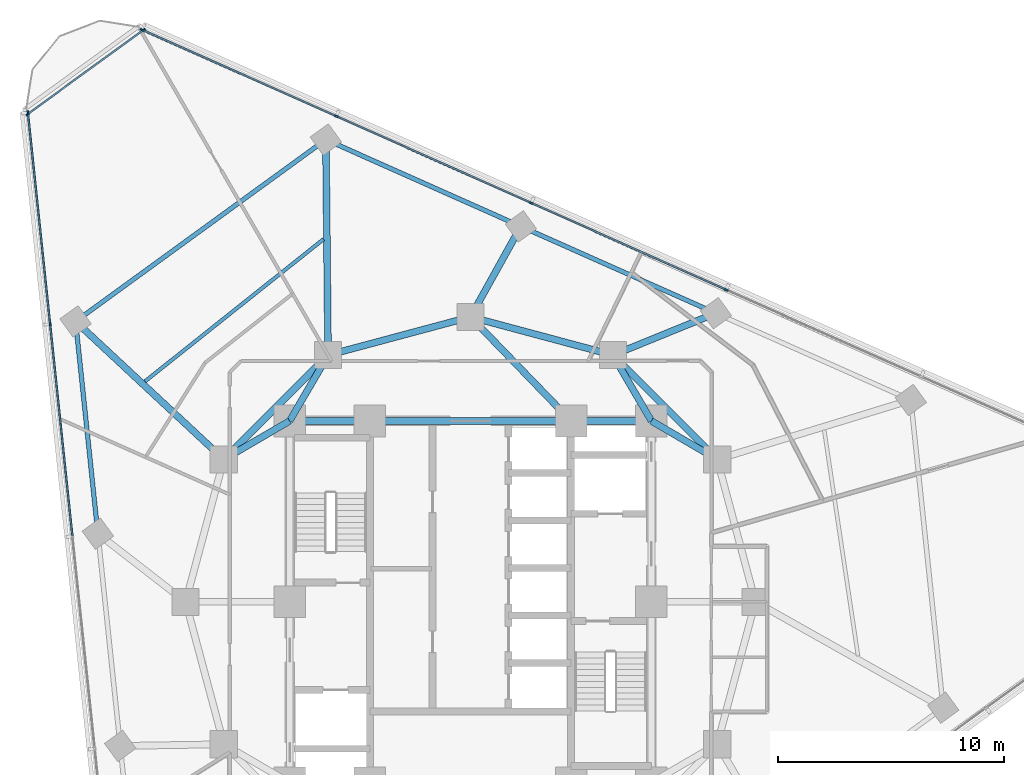
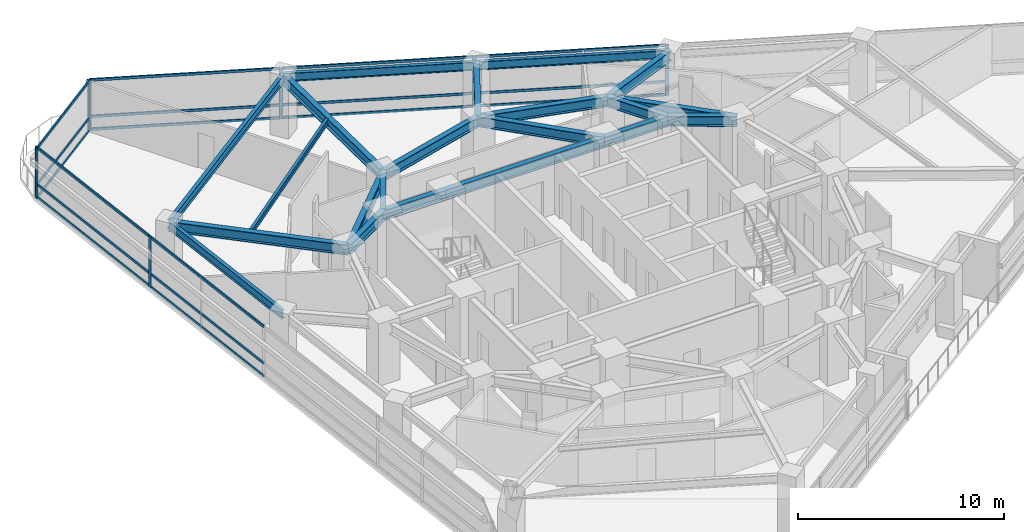
# One storey, part 5 of 14: 26 members, 21 beams, 3 elements without a shape of their own.
"""IFC4 building model written with IfcOpenShell, lengths in metres."""

import ifcopenshell
import ifcopenshell.guid

model = None  # the IFC model being written
_history = None  # IfcOwnerHistory: only IFC2X3 demands one
_inside = {}  # id of a spatial element -> (the spatial element, [elements in it])
_under = {}  # id of a project, library or spatial element -> (it, [spatial elements below it])
_declared = {}  # id of a project -> (the project, [libraries it declares])
_typed = {}  # id of a type object -> (the type object, [elements of that type])
_made_of = {}  # id of a material, layer set ... -> (it, [elements and type objects made of it])


def new_model(schema):
    """Start an empty IFC model of exactly this schema.

    Asked for "IFC4X3", IfcOpenShell would pick the latest addendum, in which some entities
    have other attributes; the version numbers below select the first issue.
    IFC2X3 requires an IfcOwnerHistory on every rooted entity: one is made here for all.
    """
    global model, _history
    if schema == "IFC4X3":
        model = ifcopenshell.file(schema_version=(4, 3, 0, 0))
    else:
        model = ifcopenshell.file(schema=schema)
    _inside.clear()
    _under.clear()
    _declared.clear()
    _typed.clear()
    _made_of.clear()
    _history = None
    if model.schema == "IFC2X3":
        org = make("IfcOrganization", Name="unknown")
        user = make(
            "IfcPersonAndOrganization",
            ThePerson=make("IfcPerson", FamilyName="unknown"),
            TheOrganization=org,
        )
        app = make(
            "IfcApplication",
            ApplicationDeveloper=org,
            Version="unknown",
            ApplicationFullName="unknown",
            ApplicationIdentifier="unknown",
        )
        _history = make(
            "IfcOwnerHistory",
            OwningUser=user,
            OwningApplication=app,
            ChangeAction="ADDED",
            CreationDate=0,
        )
    return model


def make(cls, **values):
    """One entity of the class cls with the attributes given. An attribute that is None is left unset."""
    return model.create_entity(
        cls, **{name: value for name, value in values.items() if value is not None}
    )


def rooted(cls, **values):
    """An entity with a GlobalId (a new one), such as an element, a storey or a relation."""
    return make(cls, GlobalId=ifcopenshell.guid.new(), OwnerHistory=_history, **values)


def si_unit(unit_type, name, prefix=None):
    """IfcSIUnit, for example si_unit("LENGTHUNIT", "METRE", prefix="MILLI")."""
    return make("IfcSIUnit", UnitType=unit_type, Prefix=prefix, Name=name)


def assignment(units):
    """IfcUnitAssignment: the units of a project."""
    return None if units is None else make("IfcUnitAssignment", Units=units)


def point(xyz):
    """IfcCartesianPoint."""
    return None if xyz is None else make("IfcCartesianPoint", Coordinates=xyz)


def direction(xyz):
    """IfcDirection."""
    return None if xyz is None else make("IfcDirection", DirectionRatios=xyz)


def frame(location, z_axis=None, x_axis=None):
    """IfcAxis2Placement3D, a coordinate frame: its origin and axes. An axis left out is left unset."""
    return make(
        "IfcAxis2Placement3D",
        Location=point(location),
        Axis=direction(z_axis),
        RefDirection=direction(x_axis),
    )


def frame_2d(location, x_axis=None):
    """IfcAxis2Placement2D, a coordinate frame in the plane: its origin and x axis."""
    return make(
        "IfcAxis2Placement2D", Location=point(location), RefDirection=direction(x_axis)
    )


def origin():
    """The frame at (0, 0, 0) with its axes left unset."""
    return frame((0.0, 0.0, 0.0))


def origin_2d():
    """The frame at (0, 0) in the plane with its x axis left unset."""
    return frame_2d((0.0, 0.0))


def place(relative_to, where):
    """IfcLocalPlacement: puts the frame where relative to a parent placement (None: the world)."""
    return make(
        "IfcLocalPlacement", PlacementRelTo=relative_to, RelativePlacement=where
    )


def context(
    kind, dimensions, precision=None, world=None, true_north=None, identifier=None
):
    """IfcGeometricRepresentationContext, for example the 3D "Model" context."""
    return make(
        "IfcGeometricRepresentationContext",
        ContextIdentifier=identifier,
        ContextType=kind,
        CoordinateSpaceDimension=dimensions,
        Precision=precision,
        WorldCoordinateSystem=world,
        TrueNorth=true_north,
    )


def subcontext(parent, identifier, kind, view, scale=None):
    """IfcGeometricRepresentationSubContext, for example "Body" below "Model"."""
    return make(
        "IfcGeometricRepresentationSubContext",
        ContextIdentifier=identifier,
        ContextType=kind,
        ParentContext=parent,
        TargetScale=scale,
        TargetView=view,
    )


def project(units=None, contexts=None):
    """IfcProject with its units and contexts."""
    return rooted(
        "IfcProject",
        Name="project",
        RepresentationContexts=contexts,
        UnitsInContext=assignment(units),
    )


def spatial(cls, under=None, at=None, **own):
    """A site, building, storey or space (cls), placed at a placement, below another one or the project."""
    s = rooted(cls, ObjectPlacement=at, **own)
    if under is not None:
        _under.setdefault(under.id(), (under, []))[1].append(s)
    return s


def profile(cls, at=None, kind="AREA", **sizes):
    """A parametric profile (cls). Its sizes go by their IFC names, for example OverallWidth=200.0."""
    return make(cls, ProfileType=kind, Position=at, **sizes)


def rectangle(**sizes):
    """IfcRectangleProfileDef."""
    return profile("IfcRectangleProfileDef", **sizes)


def i_section(**sizes):
    """IfcIShapeProfileDef."""
    return profile("IfcIShapeProfileDef", **sizes)


def extrude(swept, where, along, depth):
    """IfcExtrudedAreaSolid: the profile swept, set in the frame where, extruded along a direction by depth."""
    return make(
        "IfcExtrudedAreaSolid",
        SweptArea=swept,
        Position=where,
        ExtrudedDirection=direction(along),
        Depth=depth,
    )


def shape(context_of_items, identifier, shape_type, items):
    """IfcShapeRepresentation: the items that make up one representation, for example the "Body"."""
    return make(
        "IfcShapeRepresentation",
        ContextOfItems=context_of_items,
        RepresentationIdentifier=identifier,
        RepresentationType=shape_type,
        Items=items,
    )


def material(Name=None, Category=None):
    """IfcMaterial."""
    return make("IfcMaterial", Name=Name, Category=Category)


def layer(
    of_material, thickness, ventilated=None, Name=None, Category=None, Priority=None
):
    """IfcMaterialLayer: one layer of a wall or slab, of a material (None: an air gap)."""
    return make(
        "IfcMaterialLayer",
        Material=of_material,
        LayerThickness=thickness,
        IsVentilated=ventilated,
        Name=Name,
        Category=Category,
        Priority=Priority,
    )


def layer_set(layers, Name=None):
    """IfcMaterialLayerSet."""
    return make("IfcMaterialLayerSet", MaterialLayers=layers, LayerSetName=Name)


def material_profile(
    of_material, cross_section, Name=None, Category=None, Priority=None
):
    """IfcMaterialProfile: a cross section and its material."""
    return make(
        "IfcMaterialProfile",
        Name=Name,
        Material=of_material,
        Profile=cross_section,
        Priority=Priority,
        Category=Category,
    )


def profile_set(profiles, Name=None, composite=None):
    """IfcMaterialProfileSet."""
    return make(
        "IfcMaterialProfileSet",
        Name=Name,
        MaterialProfiles=profiles,
        CompositeProfile=composite,
    )


def made_of(thing, what):
    """Note that an element or type object is made of a material, layer set ...; save() writes the relation."""
    if what is not None:
        _made_of.setdefault(what.id(), (what, []))[1].append(thing)
    return thing


def type_object(cls, material=None, **own):
    """A type object (cls), such as IfcWallType, which elements share."""
    return made_of(rooted(cls, **own), material)


def element(
    cls,
    number,
    at=None,
    inside=None,
    cuts=None,
    type_object=None,
    material=None,
    context=None,
    identifier="Body",
    shape_type=None,
    held_by="IfcProductDefinitionShape",
    body=None,
    shapes=None,
    **own,
):
    """One element of the class cls, such as IfcWall. Its Tag is "e" and its number.

    at: its placement. inside: the storey or other place that contains it. cuts: it is an
    opening in that element (IfcRelVoidsElement). A single representation is given by context,
    identifier, shape_type and body (its items); several are given by shapes. held_by: the class
    of the entity that holds the representations. save() writes the other relations.
    """
    e = rooted(cls, Tag="e%d" % number, ObjectPlacement=at, **own)
    if body is not None:
        shapes = [shape(context, identifier, shape_type, body)]
    if shapes is not None:
        e.Representation = make(held_by, Representations=shapes)
    if inside is not None:
        _inside.setdefault(inside.id(), (inside, []))[1].append(e)
    if cuts is not None:
        rooted(
            "IfcRelVoidsElement", RelatingBuildingElement=cuts, RelatedOpeningElement=e
        )
    if type_object is not None:
        _typed.setdefault(type_object.id(), (type_object, []))[1].append(e)
    return made_of(e, material)


def aggregate(whole, parts):
    """IfcRelAggregates: a whole, such as a stair, and the parts it consists of."""
    return rooted("IfcRelAggregates", RelatingObject=whole, RelatedObjects=parts)


def save(model, path):
    """Write the relations noted so far, then the file.

    IfcRelAggregates (storeys below a building ...), IfcRelContainedInSpatialStructure (elements
    in a storey), IfcRelDefinesByType, IfcRelAssociatesMaterial and IfcRelDeclares: one each for
    every whole, place, type object, material and project.
    """
    for whole, parts in _under.values():
        aggregate(whole, parts)
    for where, things in _inside.values():
        rooted(
            "IfcRelContainedInSpatialStructure",
            RelatedElements=things,
            RelatingStructure=where,
        )
    for kind, things in _typed.values():
        rooted("IfcRelDefinesByType", RelatedObjects=things, RelatingType=kind)
    for what, things in _made_of.values():
        rooted("IfcRelAssociatesMaterial", RelatedObjects=things, RelatingMaterial=what)
    for by, libraries in _declared.values():
        rooted("IfcRelDeclares", RelatingContext=by, RelatedDefinitions=libraries)
    model.write(path)


model = new_model("IFC4")

# Units and contexts
model_context = context("Model", 3, precision=1e-05, world=origin(), true_north=direction((0.0, 1.0)))
body_context = subcontext(model_context, "Body", "Model", "MODEL_VIEW")
ifc_project = project(units=[si_unit("LENGTHUNIT", "METRE"), si_unit("AREAUNIT", "SQUARE_METRE"), si_unit("VOLUMEUNIT", "CUBIC_METRE"), si_unit("PLANEANGLEUNIT", "RADIAN"), si_unit("MASSUNIT", "GRAM", prefix="KILO")], contexts=[model_context])

# Site, building, storey
site_placement = place(None, origin())
site = spatial("IfcSite", under=ifc_project, at=site_placement, CompositionType="ELEMENT")
building_placement = place(site_placement, origin())
building = spatial("IfcBuilding", under=site, at=building_placement, Name="Terralouvre Media Tower", CompositionType="ELEMENT")
storey_placement = place(building_placement, frame((0.0, 0.0, 158.300048828125)))
storey = spatial("IfcBuildingStorey", under=building, at=storey_placement, Name="L40", CompositionType="ELEMENT", Elevation=158.300048828125)

# Beam
ifc_material_1 = material(Name="Structural steel S355J2", Category="steel")
ifc_material_profile_1 = material_profile(ifc_material_1, i_section(OverallWidth=0.159912109375, OverallDepth=0.330078125, WebThickness=0.007568359375, FlangeThickness=0.011474609375, at=origin_2d()), Name="IPE 330")
ifc_profile_set_1 = profile_set([ifc_material_profile_1], Name="Structural steel S355J2")
beam_type_1 = type_object("IfcBeamType", Name="Composite Floor Joist J-IPE330 (IPE 330)", PredefinedType="JOIST", material=ifc_profile_set_1)
beam_1_placement = place(storey_placement, frame((-6.500732421875, 16.037841796875, 3.3349609375), z_axis=(-0.782373963914, -0.622808943891, 0.0), x_axis=(0.622808943891, -0.782373963914, 0.0)))
element("IfcBeam", 1, at=beam_1_placement, inside=storey, type_object=beam_type_1, Name="L40 Framing Beam JT-L40-05", PredefinedType="JOIST", context=body_context, shape_type="SweptSolid", body=[
    extrude(i_section(OverallWidth=0.159912109375, OverallDepth=0.330078125, WebThickness=0.007568359375, FlangeThickness=0.011474609375, at=origin_2d()), origin(), (0.0, 0.0, 1.0), 10.0966796875),
])

# Curtain wall, members
ifc_material_2 = material(Name="Low-iron laminated double glazing with solar-control coating", Category="glass")
ifc_layer_1 = layer(ifc_material_2, 0.1650390625, Name="Production Studio Tower Curtain Wall CW-03")
ifc_layer_set_1 = layer_set([ifc_layer_1], Name="Low-iron laminated double glazing with solar-control coating")
curtain_wall_type_1 = type_object("IfcCurtainWallType", Name="Production Studio Tower Curtain Wall CW-03", PredefinedType="NOTDEFINED", material=ifc_layer_set_1)
curtain_wall_1_placement = place(storey_placement, origin())
curtain_wall_1 = element("IfcCurtainWall", 2, at=curtain_wall_1_placement, inside=storey, type_object=curtain_wall_type_1, Name="L40 Facade Curtain Wall F1", PredefinedType="NOTDEFINED")
ifc_material_3 = material(Name="Anodised extruded aluminium 6063-T6", Category="aluminium")
ifc_material_profile_2 = material_profile(ifc_material_3, rectangle(XDim=0.074951171875, YDim=0.14990234375, at=origin_2d()), Name="ALU 75x150")
ifc_profile_set_2 = profile_set([ifc_material_profile_2], Name="Anodised extruded aluminium 6063-T6")
member_type_1 = type_object("IfcMemberType", Name="Curtain-Wall Horizontal Transom TR-150", PredefinedType="USERDEFINED", material=ifc_profile_set_2)
member_1_placement = place(storey_placement, frame((11.27587890625, 13.8134765625, 0.037353515625), z_axis=(-0.913546899195, 0.40673340528, 0.0), x_axis=(-0.40673340528, -0.913546899195, 0.0)))
member_1 = element("IfcMember", 3, at=member_1_placement, type_object=member_type_1, Name="CW-03 transom 3.1", ObjectType="TRANSOM", PredefinedType="USERDEFINED", context=body_context, shape_type="SweptSolid", body=[
    extrude(rectangle(XDim=0.074951171875, YDim=0.14990234375, at=origin_2d()), origin(), (0.0, 0.0, 1.0), 9.364990234375),
])
member_2_placement = place(storey_placement, frame((11.27587890625, 13.8134765625, 0.800048828125), z_axis=(-0.913546899195, 0.40673340528, 0.0), x_axis=(-0.40673340528, -0.913546899195, 0.0)))
member_2 = element("IfcMember", 4, at=member_2_placement, type_object=member_type_1, Name="CW-03 transom 3.2", ObjectType="TRANSOM", PredefinedType="USERDEFINED", context=body_context, shape_type="SweptSolid", body=[
    extrude(rectangle(XDim=0.074951171875, YDim=0.14990234375, at=origin_2d()), origin(), (0.0, 0.0, 1.0), 9.364990234375),
])
member_3_placement = place(storey_placement, frame((11.27587890625, 13.8134765625, 2.96240234375), z_axis=(-0.913546899195, 0.40673340528, 0.0), x_axis=(-0.40673340528, -0.913546899195, 0.0)))
member_3 = element("IfcMember", 5, at=member_3_placement, type_object=member_type_1, Name="CW-03 transom 3.3", ObjectType="TRANSOM", PredefinedType="USERDEFINED", context=body_context, shape_type="SweptSolid", body=[
    extrude(rectangle(XDim=0.074951171875, YDim=0.14990234375, at=origin_2d()), origin(), (0.0, 0.0, 1.0), 9.364990234375),
])
member_4_placement = place(storey_placement, frame((2.65185546875, 17.653076171875, 0.037353515625), z_axis=(-0.913546899195, 0.40673340528, 0.0), x_axis=(-0.40673340528, -0.913546899195, 0.0)))
member_4 = element("IfcMember", 6, at=member_4_placement, type_object=member_type_1, Name="CW-03 transom 4.1", ObjectType="TRANSOM", PredefinedType="USERDEFINED", context=body_context, shape_type="SweptSolid", body=[
    extrude(rectangle(XDim=0.074951171875, YDim=0.14990234375, at=origin_2d()), origin(), (0.0, 0.0, 1.0), 9.364990234375),
])
member_5_placement = place(storey_placement, frame((2.65185546875, 17.653076171875, 0.800048828125), z_axis=(-0.913546899195, 0.40673340528, 0.0), x_axis=(-0.40673340528, -0.913546899195, 0.0)))
member_5 = element("IfcMember", 7, at=member_5_placement, type_object=member_type_1, Name="CW-03 transom 4.2", ObjectType="TRANSOM", PredefinedType="USERDEFINED", context=body_context, shape_type="SweptSolid", body=[
    extrude(rectangle(XDim=0.074951171875, YDim=0.14990234375, at=origin_2d()), origin(), (0.0, 0.0, 1.0), 9.364990234375),
])
member_6_placement = place(storey_placement, frame((2.65185546875, 17.653076171875, 2.96240234375), z_axis=(-0.913546899195, 0.40673340528, 0.0), x_axis=(-0.40673340528, -0.913546899195, 0.0)))
member_6 = element("IfcMember", 8, at=member_6_placement, type_object=member_type_1, Name="CW-03 transom 4.3", ObjectType="TRANSOM", PredefinedType="USERDEFINED", context=body_context, shape_type="SweptSolid", body=[
    extrude(rectangle(XDim=0.074951171875, YDim=0.14990234375, at=origin_2d()), origin(), (0.0, 0.0, 1.0), 9.364990234375),
])
member_7_placement = place(storey_placement, frame((-5.971923828125, 21.49267578125, 0.037353515625), z_axis=(-0.913553401339, 0.406718800774, 0.0), x_axis=(-0.406718800774, -0.913553401339, 0.0)))
member_7 = element("IfcMember", 9, at=member_7_placement, type_object=member_type_1, Name="CW-03 transom 5.1", ObjectType="TRANSOM", PredefinedType="USERDEFINED", context=body_context, shape_type="SweptSolid", body=[
    extrude(rectangle(XDim=0.074951171875, YDim=0.14990234375, at=origin_2d()), origin(), (0.0, 0.0, 1.0), 9.32763671875),
])
member_8_placement = place(storey_placement, frame((-5.971923828125, 21.49267578125, 0.800048828125), z_axis=(-0.913553401339, 0.406718800774, 0.0), x_axis=(-0.406718800774, -0.913553401339, 0.0)))
member_8 = element("IfcMember", 10, at=member_8_placement, type_object=member_type_1, Name="CW-03 transom 5.2", ObjectType="TRANSOM", PredefinedType="USERDEFINED", context=body_context, shape_type="SweptSolid", body=[
    extrude(rectangle(XDim=0.074951171875, YDim=0.14990234375, at=origin_2d()), origin(), (0.0, 0.0, 1.0), 9.32763671875),
])
member_9_placement = place(storey_placement, frame((-5.971923828125, 21.49267578125, 2.96240234375), z_axis=(-0.913553401339, 0.406718800774, 0.0), x_axis=(-0.406718800774, -0.913553401339, 0.0)))
member_9 = element("IfcMember", 11, at=member_9_placement, type_object=member_type_1, Name="CW-03 transom 5.3", ObjectType="TRANSOM", PredefinedType="USERDEFINED", context=body_context, shape_type="SweptSolid", body=[
    extrude(rectangle(XDim=0.074951171875, YDim=0.14990234375, at=origin_2d()), origin(), (0.0, 0.0, 1.0), 9.32763671875),
])

curtain_wall_2_placement = place(storey_placement, origin())
curtain_wall_2 = element("IfcCurtainWall", 12, at=curtain_wall_2_placement, inside=storey, type_object=curtain_wall_type_1, Name="L40 Facade Curtain Wall F2", PredefinedType="NOTDEFINED")
member_10_placement = place(storey_placement, frame((-19.5703125, 21.59765625, 0.037353515625), z_axis=(0.104540358364, -0.994520645071, 0.0), x_axis=(0.994520645071, 0.104540358364, 0.0)))
member_10 = element("IfcMember", 13, at=member_10_placement, type_object=member_type_1, Name="CW-03 transom 1.1", ObjectType="TRANSOM", PredefinedType="USERDEFINED", context=body_context, shape_type="SweptSolid", body=[
    extrude(rectangle(XDim=0.074951171875, YDim=0.14990234375, at=origin_2d()), origin(), (0.0, 0.0, 1.0), 9.327392578125),
])
member_11_placement = place(storey_placement, frame((-19.5703125, 21.59765625, 0.800048828125), z_axis=(0.104540358364, -0.994520645071, 0.0), x_axis=(0.994520645071, 0.104540358364, 0.0)))
member_11 = element("IfcMember", 14, at=member_11_placement, type_object=member_type_1, Name="CW-03 transom 1.2", ObjectType="TRANSOM", PredefinedType="USERDEFINED", context=body_context, shape_type="SweptSolid", body=[
    extrude(rectangle(XDim=0.074951171875, YDim=0.14990234375, at=origin_2d()), origin(), (0.0, 0.0, 1.0), 9.327392578125),
])
member_12_placement = place(storey_placement, frame((-19.5703125, 21.59765625, 2.96240234375), z_axis=(0.104540358364, -0.994520645071, 0.0), x_axis=(0.994520645071, 0.104540358364, 0.0)))
member_12 = element("IfcMember", 15, at=member_12_placement, type_object=member_type_1, Name="CW-03 transom 1.3", ObjectType="TRANSOM", PredefinedType="USERDEFINED", context=body_context, shape_type="SweptSolid", body=[
    extrude(rectangle(XDim=0.074951171875, YDim=0.14990234375, at=origin_2d()), origin(), (0.0, 0.0, 1.0), 9.327392578125),
])
member_13_placement = place(storey_placement, frame((-18.58740234375, 12.24658203125, 0.037353515625), z_axis=(0.104538223456, -0.994520869483, 0.0), x_axis=(0.994520869483, 0.104538223456, 0.0)))
member_13 = element("IfcMember", 16, at=member_13_placement, type_object=member_type_1, Name="CW-03 transom 2.1", ObjectType="TRANSOM", PredefinedType="USERDEFINED", context=body_context, shape_type="SweptSolid", body=[
    extrude(rectangle(XDim=0.074951171875, YDim=0.14990234375, at=origin_2d()), origin(), (0.0, 0.0, 1.0), 9.364990234375),
])
member_14_placement = place(storey_placement, frame((-18.58740234375, 12.24658203125, 0.800048828125), z_axis=(0.104538223456, -0.994520869483, 0.0), x_axis=(0.994520869483, 0.104538223456, 0.0)))
member_14 = element("IfcMember", 17, at=member_14_placement, type_object=member_type_1, Name="CW-03 transom 2.2", ObjectType="TRANSOM", PredefinedType="USERDEFINED", context=body_context, shape_type="SweptSolid", body=[
    extrude(rectangle(XDim=0.074951171875, YDim=0.14990234375, at=origin_2d()), origin(), (0.0, 0.0, 1.0), 9.364990234375),
])
member_15_placement = place(storey_placement, frame((-18.58740234375, 12.24658203125, 2.96240234375), z_axis=(0.104538223456, -0.994520869483, 0.0), x_axis=(0.994520869483, 0.104538223456, 0.0)))
member_15 = element("IfcMember", 18, at=member_15_placement, type_object=member_type_1, Name="CW-03 transom 2.3", ObjectType="TRANSOM", PredefinedType="USERDEFINED", context=body_context, shape_type="SweptSolid", body=[
    extrude(rectangle(XDim=0.074951171875, YDim=0.14990234375, at=origin_2d()), origin(), (0.0, 0.0, 1.0), 9.364990234375),
])

ifc_material_4 = material(Name="Low-iron laminated double glazing with solar-control coating", Category="glass")
ifc_layer_2 = layer(ifc_material_4, 0.1650390625, Name="Rounded Wind-Corner Curved Glazing CW-04")
ifc_layer_set_2 = layer_set([ifc_layer_2], Name="Low-iron laminated double glazing with solar-control coating")
curtain_wall_type_2 = type_object("IfcCurtainWallType", Name="Rounded Wind-Corner Curved Glazing CW-04", PredefinedType="NOTDEFINED", material=ifc_layer_set_2)
curtain_wall_3_placement = place(storey_placement, origin())
curtain_wall_3 = element("IfcCurtainWall", 19, at=curtain_wall_3_placement, inside=storey, type_object=curtain_wall_type_2, Name="L40 Rounded Wind-Corner Curtain Wall C2", PredefinedType="NOTDEFINED")
member_16_placement = place(storey_placement, frame((-14.4912109375, 25.269287109375, 0.037353515625), z_axis=(-0.809012644162, -0.587791239801, 0.0), x_axis=(0.587791239801, -0.809012644162, 0.0)))
member_16 = element("IfcMember", 20, at=member_16_placement, type_object=member_type_1, Name="CW-04 transom 1.1", ObjectType="TRANSOM", PredefinedType="USERDEFINED", context=body_context, shape_type="SweptSolid", body=[
    extrude(rectangle(XDim=0.074951171875, YDim=0.14990234375, at=origin_2d()), origin(), (0.0, 0.0, 1.0), 6.258544921875),
])
member_17_placement = place(storey_placement, frame((-14.4912109375, 25.269287109375, 0.800048828125), z_axis=(-0.809012644162, -0.587791239801, 0.0), x_axis=(0.587791239801, -0.809012644162, 0.0)))
member_17 = element("IfcMember", 21, at=member_17_placement, type_object=member_type_1, Name="CW-04 transom 1.2", ObjectType="TRANSOM", PredefinedType="USERDEFINED", context=body_context, shape_type="SweptSolid", body=[
    extrude(rectangle(XDim=0.074951171875, YDim=0.14990234375, at=origin_2d()), origin(), (0.0, 0.0, 1.0), 6.258544921875),
])
member_18_placement = place(storey_placement, frame((-14.4912109375, 25.269287109375, 2.96240234375), z_axis=(-0.809012644162, -0.587791239801, 0.0), x_axis=(0.587791239801, -0.809012644162, 0.0)))
member_18 = element("IfcMember", 22, at=member_18_placement, type_object=member_type_1, Name="CW-04 transom 1.3", ObjectType="TRANSOM", PredefinedType="USERDEFINED", context=body_context, shape_type="SweptSolid", body=[
    extrude(rectangle(XDim=0.074951171875, YDim=0.14990234375, at=origin_2d()), origin(), (0.0, 0.0, 1.0), 6.258544921875),
])

# Member
ifc_material_5 = material(Name="Anodised extruded aluminium 6063-T6", Category="aluminium")
ifc_material_profile_3 = material_profile(ifc_material_5, rectangle(XDim=0.074951171875, YDim=0.179931640625, at=origin_2d()), Name="ALU 75x180")
ifc_profile_set_3 = profile_set([ifc_material_profile_3], Name="Anodised extruded aluminium 6063-T6")
member_type_2 = type_object("IfcMemberType", Name="Curtain-Wall Vertical Mullion ML-180", PredefinedType="MULLION", material=ifc_profile_set_3)
member_19_placement = place(storey_placement, frame((11.31005859375, 13.798095703125, 0.0), z_axis=(0.0, 0.0, 1.0), x_axis=(-0.406736616337, -0.913545469547, 0.0)))
member_19 = element("IfcMember", 23, at=member_19_placement, type_object=member_type_2, Name="CW-03 mullion 3", PredefinedType="MULLION", context=body_context, shape_type="SweptSolid", body=[
    extrude(rectangle(XDim=0.074951171875, YDim=0.179931640625, at=origin_2d()), origin(), (0.0, 0.0, 1.0), 3.0),
])

member_20_placement = place(storey_placement, frame((2.686279296875, 17.6376953125, 0.0), z_axis=(0.0, 0.0, 1.0), x_axis=(-0.406736616337, -0.913545469547, 0.0)))
member_20 = element("IfcMember", 24, at=member_20_placement, type_object=member_type_2, Name="CW-03 mullion 4", PredefinedType="MULLION", context=body_context, shape_type="SweptSolid", body=[
    extrude(rectangle(XDim=0.074951171875, YDim=0.179931640625, at=origin_2d()), origin(), (0.0, 0.0, 1.0), 3.0),
])

member_21_placement = place(storey_placement, frame((-5.937744140625, 21.477294921875, 0.0), z_axis=(0.0, 0.0, 1.0), x_axis=(-0.406736616337, -0.913545469547, 0.0)))
member_21 = element("IfcMember", 25, at=member_21_placement, type_object=member_type_2, Name="CW-03 mullion 5", PredefinedType="MULLION", context=body_context, shape_type="SweptSolid", body=[
    extrude(rectangle(XDim=0.074951171875, YDim=0.179931640625, at=origin_2d()), origin(), (0.0, 0.0, 1.0), 3.0),
])

member_22_placement = place(storey_placement, frame((-14.52734375, 25.3017578125, 0.0), z_axis=(0.0, 0.0, 1.0), x_axis=(-0.406736616337, -0.913545469547, 0.0)))
member_22 = element("IfcMember", 26, at=member_22_placement, type_object=member_type_2, Name="CW-03 mullion 6", PredefinedType="MULLION", context=body_context, shape_type="SweptSolid", body=[
    extrude(rectangle(XDim=0.074951171875, YDim=0.179931640625, at=origin_2d()), origin(), (0.0, 0.0, 1.0), 3.0),
])

aggregate(curtain_wall_1, [member_19, member_20, member_21, member_22, member_1, member_2, member_3, member_4, member_5, member_6, member_7, member_8, member_9])

member_23_placement = place(storey_placement, frame((-19.57421875, 21.635009765625, 0.0), z_axis=(0.0, 0.0, 1.0), x_axis=(0.994521904516, 0.104528376236, 0.0)))
member_23 = element("IfcMember", 27, at=member_23_placement, type_object=member_type_2, Name="CW-03 mullion 1", PredefinedType="MULLION", context=body_context, shape_type="SweptSolid", body=[
    extrude(rectangle(XDim=0.074951171875, YDim=0.179931640625, at=origin_2d()), origin(), (0.0, 0.0, 1.0), 3.0),
])

member_24_placement = place(storey_placement, frame((-18.59130859375, 12.283935546875, 0.0), z_axis=(0.0, 0.0, 1.0), x_axis=(0.994521904516, 0.104528376236, 0.0)))
member_24 = element("IfcMember", 28, at=member_24_placement, type_object=member_type_2, Name="CW-03 mullion 2", PredefinedType="MULLION", context=body_context, shape_type="SweptSolid", body=[
    extrude(rectangle(XDim=0.074951171875, YDim=0.179931640625, at=origin_2d()), origin(), (0.0, 0.0, 1.0), 3.0),
])

aggregate(curtain_wall_2, [member_23, member_24, member_10, member_11, member_12, member_13, member_14, member_15])

member_25_placement = place(storey_placement, frame((-14.4609375, 25.291259765625, 0.0), z_axis=(0.0, 0.0, 1.0), x_axis=(0.587784641221, -0.809017438344, 0.0)))
member_25 = element("IfcMember", 29, at=member_25_placement, type_object=member_type_2, Name="CW-04 mullion 1", PredefinedType="MULLION", context=body_context, shape_type="SweptSolid", body=[
    extrude(rectangle(XDim=0.074951171875, YDim=0.179931640625, at=origin_2d()), origin(), (0.0, 0.0, 1.0), 3.0),
])

member_26_placement = place(storey_placement, frame((-19.584716796875, 21.568603515625, 0.0), z_axis=(0.0, 0.0, 1.0), x_axis=(0.587784641221, -0.809017438344, 0.0)))
member_26 = element("IfcMember", 30, at=member_26_placement, type_object=member_type_2, Name="CW-04 mullion 2", PredefinedType="MULLION", context=body_context, shape_type="SweptSolid", body=[
    extrude(rectangle(XDim=0.074951171875, YDim=0.179931640625, at=origin_2d()), origin(), (0.0, 0.0, 1.0), 3.0),
])

aggregate(curtain_wall_3, [member_25, member_26, member_16, member_17, member_18])

# Beams
ifc_material_6 = material(Name="Structural steel S355J2", Category="steel")
ifc_material_profile_4 = material_profile(ifc_material_6, i_section(OverallWidth=0.199951171875, OverallDepth=0.5, WebThickness=0.01025390625, FlangeThickness=0.01611328125, at=origin_2d()), Name="IPE 500")
ifc_profile_set_4 = profile_set([ifc_material_profile_4], Name="Structural steel S355J2")
beam_type_2 = type_object("IfcBeamType", Name="Perimeter Spandrel Beam SPB-500 (IPE 500)", PredefinedType="SPANDREL", material=ifc_profile_set_4)
for number, where, z_axis, x_axis, name in (
    (31, (10.850341796875, 12.765869140625, 3.25), (-0.913543659167, 0.406740682494, 0.0), (-0.406740682494, -0.913543659167, 0.0), "L40 Framing Beam BM-L40-PR08"),
    (32, (2.2265625, 16.60546875, 3.25), (-0.913543659167, 0.406740682494, 0.0), (-0.406740682494, -0.913543659167, 0.0), "L40 Framing Beam BM-L40-PR09"),
):
    element("IfcBeam", number, at=place(storey_placement, frame(where, z_axis=z_axis, x_axis=x_axis)), inside=storey, type_object=beam_type_2, Name=name, PredefinedType="SPANDREL", context=body_context, shape_type="SweptSolid", body=[
        extrude(i_section(OverallWidth=0.199951171875, OverallDepth=0.5, WebThickness=0.01025390625, FlangeThickness=0.01611328125, at=origin_2d()), origin(), (0.0, 0.0, 1.0), 9.43994140625),
    ])
beam_2_placement = place(storey_placement, frame((-6.397216796875, 20.445068359375, 3.25), z_axis=(-0.80901991627, -0.587781230628, 0.0), x_axis=(0.587781230628, -0.80901991627, 0.0)))
element("IfcBeam", 33, at=beam_2_placement, inside=storey, type_object=beam_type_2, Name="L40 Framing Beam BM-L40-PR10", PredefinedType="SPANDREL", context=body_context, shape_type="SweptSolid", body=[
    extrude(i_section(OverallWidth=0.199951171875, OverallDepth=0.5, WebThickness=0.01025390625, FlangeThickness=0.01611328125, at=origin_2d()), origin(), (0.0, 0.0, 1.0), 13.68359375),
])
beam_3_placement = place(storey_placement, frame((-17.467529296875, 12.402099609375, 3.25), z_axis=(0.10453669331, -0.994521030321, 0.0), x_axis=(0.994521030321, 0.10453669331, 0.0)))
element("IfcBeam", 34, at=beam_3_placement, inside=storey, type_object=beam_type_2, Name="L40 Framing Beam BM-L40-PR11", PredefinedType="SPANDREL", context=body_context, shape_type="SweptSolid", body=[
    extrude(i_section(OverallWidth=0.199951171875, OverallDepth=0.5, WebThickness=0.01025390625, FlangeThickness=0.01611328125, at=origin_2d()), origin(), (0.0, 0.0, 1.0), 9.43994140625),
])
ifc_material_7 = material(Name="Structural steel S460M", Category="steel")
ifc_material_profile_5 = material_profile(ifc_material_7, i_section(OverallWidth=0.300048828125, OverallDepth=0.60009765625, WebThickness=0.015380859375, FlangeThickness=0.030029296875, at=origin_2d()), Name="HEB 600")
ifc_profile_set_5 = profile_set([ifc_material_profile_5], Name="Structural steel S460M")
beam_type_3 = type_object("IfcBeamType", Name="Primary Floor Girder B-HEB600 (HEB 600)", PredefinedType="BEAM", material=ifc_profile_set_5)
beam_4_placement = place(storey_placement, frame((8.0, 8.0, 3.199951171875), z_axis=(-1.0, 0.0, 0.0), x_axis=(0.0, -1.0, 0.0)))
element("IfcBeam", 35, at=beam_4_placement, inside=storey, type_object=beam_type_3, Name="L40 Framing Beam BM-L40-CPR06", PredefinedType="BEAM", context=body_context, shape_type="SweptSolid", body=[
    extrude(i_section(OverallWidth=0.300048828125, OverallDepth=0.60009765625, WebThickness=0.015380859375, FlangeThickness=0.030029296875, at=origin_2d()), origin(), (0.0, 0.0, 1.0), 3.550048828125),
])
beam_5_placement = place(storey_placement, frame((4.449951171875, 8.0, 3.199951171875), z_axis=(-1.0, 0.0, 0.0), x_axis=(0.0, -1.0, 0.0)))
element("IfcBeam", 36, at=beam_5_placement, inside=storey, type_object=beam_type_3, Name="L40 Framing Beam BM-L40-CPR07", PredefinedType="BEAM", context=body_context, shape_type="SweptSolid", body=[
    extrude(i_section(OverallWidth=0.300048828125, OverallDepth=0.60009765625, WebThickness=0.015380859375, FlangeThickness=0.030029296875, at=origin_2d()), origin(), (0.0, 0.0, 1.0), 8.89990234375),
])
beam_6_placement = place(storey_placement, frame((-4.449951171875, 8.0, 3.199951171875), z_axis=(-1.0, 0.0, 0.0), x_axis=(0.0, -1.0, 0.0)))
element("IfcBeam", 37, at=beam_6_placement, inside=storey, type_object=beam_type_3, Name="L40 Framing Beam BM-L40-CPR08", PredefinedType="BEAM", context=body_context, shape_type="SweptSolid", body=[
    extrude(i_section(OverallWidth=0.300048828125, OverallDepth=0.60009765625, WebThickness=0.015380859375, FlangeThickness=0.030029296875, at=origin_2d()), origin(), (0.0, 0.0, 1.0), 3.550048828125),
])
beam_7_placement = place(storey_placement, frame((10.911865234375, 6.300048828125, 3.199951171875), z_axis=(-0.707106781187, 0.707106781187, 0.0), x_axis=(-0.707106781187, -0.707106781187, 0.0)))
element("IfcBeam", 38, at=beam_7_placement, inside=storey, type_object=beam_type_3, Name="L40 Framing Beam BM-L40-MR07", PredefinedType="BEAM", context=body_context, shape_type="SweptSolid", body=[
    extrude(i_section(OverallWidth=0.300048828125, OverallDepth=0.60009765625, WebThickness=0.015380859375, FlangeThickness=0.030029296875, at=origin_2d()), origin(), (0.0, 0.0, 1.0), 6.52197265625),
])
for number, where, z_axis, x_axis, name in (
    (39, (6.300048828125, 10.911865234375, 3.199951171875), (-0.965920481897, 0.258838989821, 0.0), (-0.258838989821, -0.965920481897, 0.0), "L40 Framing Beam BM-L40-MR08"),
    (40, (0.0, 12.60009765625, 3.199951171875), (-0.965920481897, -0.258838989821, 0.0), (0.258838989821, -0.965920481897, 0.0), "L40 Framing Beam BM-L40-MR09"),
):
    element("IfcBeam", number, at=place(storey_placement, frame(where, z_axis=z_axis, x_axis=x_axis)), inside=storey, type_object=beam_type_3, Name=name, PredefinedType="BEAM", context=body_context, shape_type="SweptSolid", body=[
        extrude(i_section(OverallWidth=0.300048828125, OverallDepth=0.60009765625, WebThickness=0.015380859375, FlangeThickness=0.030029296875, at=origin_2d()), origin(), (0.0, 0.0, 1.0), 6.522216796875),
    ])
beam_8_placement = place(storey_placement, frame((-6.300048828125, 10.911865234375, 3.199951171875), z_axis=(-0.707106781187, -0.707106781187, 0.0), x_axis=(0.707106781187, -0.707106781187, 0.0)))
element("IfcBeam", 41, at=beam_8_placement, inside=storey, type_object=beam_type_3, Name="L40 Framing Beam BM-L40-MR10", PredefinedType="BEAM", context=body_context, shape_type="SweptSolid", body=[
    extrude(i_section(OverallWidth=0.300048828125, OverallDepth=0.60009765625, WebThickness=0.015380859375, FlangeThickness=0.030029296875, at=origin_2d()), origin(), (0.0, 0.0, 1.0), 6.52197265625),
])
for number, where, z_axis, x_axis, name in (
    (42, (8.0, 8.0, 3.199951171875), (0.863602894532, -0.504172629717, 0.0), (0.504172629717, 0.863602894532, 0.0), "L40 Framing Beam BM-L40-CM07"),
    (43, (8.0, 8.0, 3.199951171875), (-0.504172629717, 0.863602894532, 0.0), (-0.863602894532, -0.504172629717, 0.0), "L40 Framing Beam BM-L40-CM08"),
):
    element("IfcBeam", number, at=place(storey_placement, frame(where, z_axis=z_axis, x_axis=x_axis)), inside=storey, type_object=beam_type_3, Name=name, PredefinedType="BEAM", context=body_context, shape_type="SweptSolid", body=[
        extrude(i_section(OverallWidth=0.300048828125, OverallDepth=0.60009765625, WebThickness=0.015380859375, FlangeThickness=0.030029296875, at=origin_2d()), origin(), (0.0, 0.0, 1.0), 3.371826171875),
    ])
beam_9_placement = place(storey_placement, frame((4.449951171875, 8.0, 3.199951171875), z_axis=(-0.695279715726, 0.718739255155, 0.0), x_axis=(-0.718739255155, -0.695279715726, 0.0)))
element("IfcBeam", 44, at=beam_9_placement, inside=storey, type_object=beam_type_3, Name="L40 Framing Beam BM-L40-CM09", PredefinedType="BEAM", context=body_context, shape_type="SweptSolid", body=[
    extrude(i_section(OverallWidth=0.300048828125, OverallDepth=0.60009765625, WebThickness=0.015380859375, FlangeThickness=0.030029296875, at=origin_2d()), origin(), (0.0, 0.0, 1.0), 6.400146484375),
])
for number, where, z_axis, x_axis, name in (
    (45, (-8.0, 8.0, 3.199951171875), (0.504172629717, 0.863602894532, 0.0), (-0.863602894532, 0.504172629717, 0.0), "L40 Framing Beam BM-L40-CM10"),
    (46, (-8.0, 8.0, 3.199951171875), (-0.863602894532, -0.504172629717, 0.0), (0.504172629717, -0.863602894532, 0.0), "L40 Framing Beam BM-L40-CM11"),
):
    element("IfcBeam", number, at=place(storey_placement, frame(where, z_axis=z_axis, x_axis=x_axis)), inside=storey, type_object=beam_type_3, Name=name, PredefinedType="BEAM", context=body_context, shape_type="SweptSolid", body=[
        extrude(i_section(OverallWidth=0.300048828125, OverallDepth=0.60009765625, WebThickness=0.015380859375, FlangeThickness=0.030029296875, at=origin_2d()), origin(), (0.0, 0.0, 1.0), 3.371826171875),
    ])
beam_10_placement = place(storey_placement, frame((6.300048828125, 10.911865234375, 3.199951171875), z_axis=(0.926079498884, 0.377328453403, 0.0), x_axis=(-0.377328453403, 0.926079498884, 0.0)))
element("IfcBeam", 47, at=beam_10_placement, inside=storey, type_object=beam_type_3, Name="L40 Framing Beam BM-L40-RD08", PredefinedType="BEAM", context=body_context, shape_type="SweptSolid", body=[
    extrude(i_section(OverallWidth=0.300048828125, OverallDepth=0.60009765625, WebThickness=0.015380859375, FlangeThickness=0.030029296875, at=origin_2d()), origin(), (0.0, 0.0, 1.0), 4.91357421875),
])
beam_11_placement = place(storey_placement, frame((0.0, 12.60009765625, 3.199951171875), z_axis=(0.485869082881, 0.874031597999, 0.0), x_axis=(-0.874031597999, 0.485869082881, 0.0)))
element("IfcBeam", 48, at=beam_11_placement, inside=storey, type_object=beam_type_3, Name="L40 Framing Beam BM-L40-RD09", PredefinedType="BEAM", context=body_context, shape_type="SweptSolid", body=[
    extrude(i_section(OverallWidth=0.300048828125, OverallDepth=0.60009765625, WebThickness=0.015380859375, FlangeThickness=0.030029296875, at=origin_2d()), origin(), (0.0, 0.0, 1.0), 4.58251953125),
])
beam_12_placement = place(storey_placement, frame((-6.300048828125, 10.911865234375, 3.199951171875), z_axis=(-0.010192054081, 0.999948059668, 0.0), x_axis=(-0.999948059668, -0.010192054081, 0.0)))
element("IfcBeam", 49, at=beam_12_placement, inside=storey, type_object=beam_type_3, Name="L40 Framing Beam BM-L40-RD10", PredefinedType="BEAM", context=body_context, shape_type="SweptSolid", body=[
    extrude(i_section(OverallWidth=0.300048828125, OverallDepth=0.60009765625, WebThickness=0.015380859375, FlangeThickness=0.030029296875, at=origin_2d()), origin(), (0.0, 0.0, 1.0), 9.53369140625),
])
beam_13_placement = place(storey_placement, frame((-10.911865234375, 6.300048828125, 3.199951171875), z_axis=(-0.731977414873, 0.6813288957, 0.0), x_axis=(-0.6813288957, -0.731977414873, 0.0)))
element("IfcBeam", 50, at=beam_13_placement, inside=storey, type_object=beam_type_3, Name="L40 Framing Beam BM-L40-RD11", PredefinedType="BEAM", context=body_context, shape_type="SweptSolid", body=[
    extrude(i_section(OverallWidth=0.300048828125, OverallDepth=0.60009765625, WebThickness=0.015380859375, FlangeThickness=0.030029296875, at=origin_2d()), origin(), (0.0, 0.0, 1.0), 8.9560546875),
])

save(model, "model.ifc")
